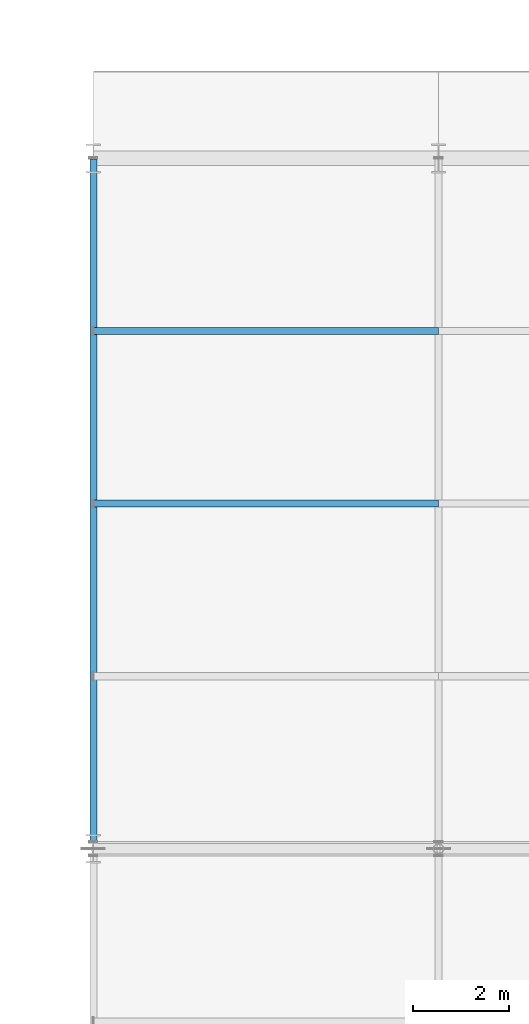
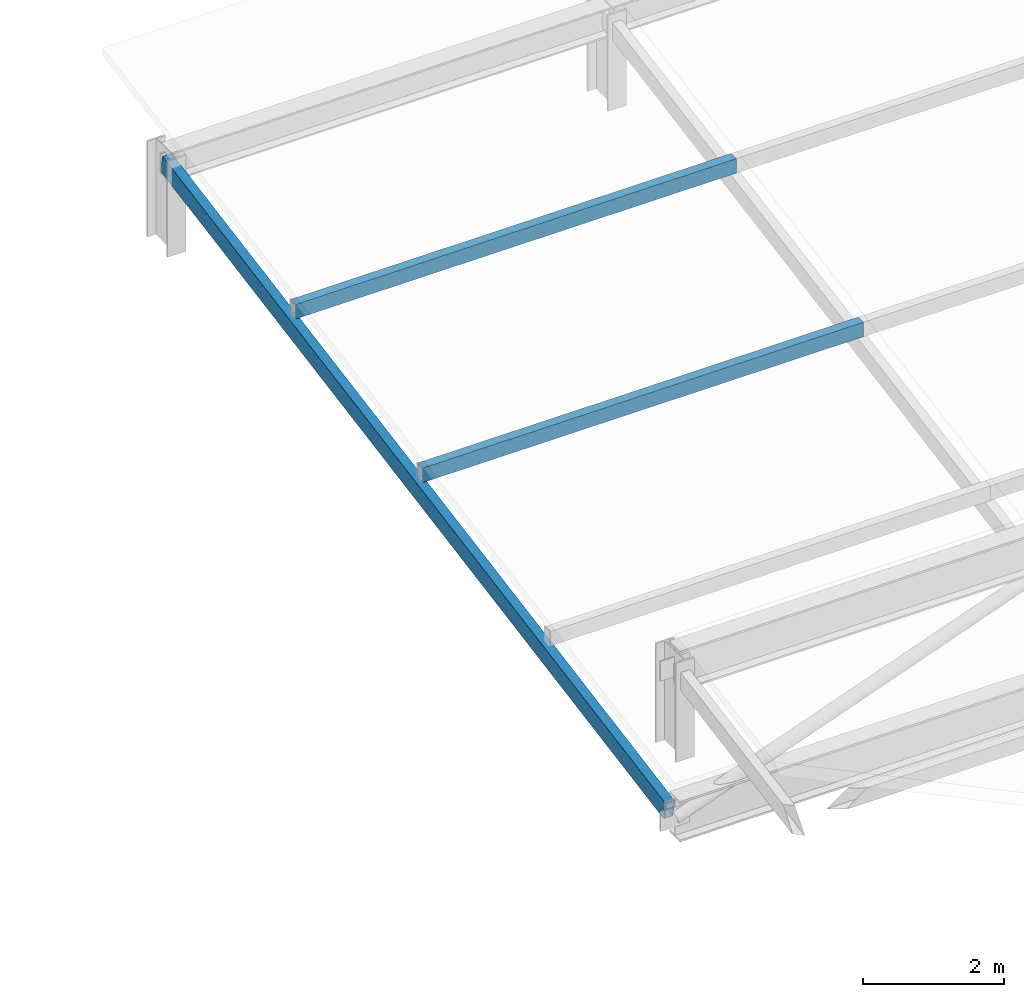
# One storey, part 27 of 63: 2 members, 1 beam.
"""IFC4 building model written with IfcOpenShell, lengths in metres."""

from ifc_helpers import new_model, si_unit, direction, frame, origin, origin_2d, place, context, subcontext, project, spatial, hollow_rectangle, extrude, material, material_profile, profile_set, type_object, element, save


model = new_model("IFC4")

# Units and contexts
model_context = context("Model", 3, precision=1e-05, world=origin(), true_north=direction((0.0, 1.0)))
body_context = subcontext(model_context, "Body", "Model", "MODEL_VIEW")
ifc_project = project(units=[si_unit("LENGTHUNIT", "METRE"), si_unit("AREAUNIT", "SQUARE_METRE"), si_unit("VOLUMEUNIT", "CUBIC_METRE"), si_unit("PLANEANGLEUNIT", "RADIAN"), si_unit("MASSUNIT", "GRAM", prefix="KILO")], contexts=[model_context])

# Site, building, storey
site_placement = place(None, origin())
site = spatial("IfcSite", under=ifc_project, at=site_placement, CompositionType="ELEMENT")
building_placement = place(site_placement, origin())
building = spatial("IfcBuilding", under=site, at=building_placement, Name="Solvadek Multi-Sports Hall", CompositionType="ELEMENT")
storey_placement = place(building_placement, frame((0.0, 0.0, 19.199951171875)))
storey = spatial("IfcBuildingStorey", under=building, at=storey_placement, Name="RF", CompositionType="ELEMENT", Elevation=19.199951171875)

# Members
ifc_material = material(Name="Steel E350 (350 MPa)", Category="steel")
ifc_material_profile_1 = material_profile(ifc_material, hollow_rectangle(XDim=0.14990234375, YDim=0.25, WallThickness=0.010009765625, at=origin_2d()), Name="RHS 250x150x10")
ifc_profile_set_1 = profile_set([ifc_material_profile_1], Name="Steel E350 (350 MPa)")
member_type = type_object("IfcMemberType", Name="STR-PUR-RHS250", PredefinedType="PURLIN", material=ifc_profile_set_1)
for number, where, z_axis, x_axis, name in (
    (1, (136.800048828125, 63.60009765625, 0.40869140625), (1.0, 0.0, 0.0), (0.0, 1.0, 0.0), "V2 Clerestory Purlin #113"),
    (2, (136.800048828125, 67.199951171875, 1.05322265625), (1.0, 0.0, 0.0), (0.0, 1.0, 0.0), "V2 Clerestory Purlin #114"),
):
    element("IfcMember", number, at=place(storey_placement, frame(where, z_axis=z_axis, x_axis=x_axis)), inside=storey, type_object=member_type, Name=name, PredefinedType="PURLIN", context=body_context, shape_type="SweptSolid", body=[
        extrude(hollow_rectangle(XDim=0.14990234375, YDim=0.25, WallThickness=0.010009765625, at=origin_2d()), origin(), (0.0, 0.0, 1.0), 7.199951171875),
    ])

# Beam
ifc_material_profile_2 = material_profile(ifc_material, hollow_rectangle(XDim=0.14990234375, YDim=0.300048828125, WallThickness=0.010009765625, at=origin_2d()), Name="RHS 300x150x10")
ifc_profile_set_2 = profile_set([ifc_material_profile_2], Name="Steel E350 (350 MPa)")
beam_type = type_object("IfcBeamType", Name="STR-TRS-RHS300", PredefinedType="USERDEFINED", material=ifc_profile_set_2)
beam_placement = place(storey_placement, frame((136.800048828125, 56.550048828125, -1.142578125), z_axis=(0.0, 0.984354110931, 0.176201544528), x_axis=(-1.0, 0.0, 0.0)))
element("IfcBeam", 3, at=beam_placement, inside=storey, type_object=beam_type, Name="V2 Clerestory Rafter Truss 1.2", ObjectType="ROOF TRUSS", PredefinedType="USERDEFINED", context=body_context, shape_type="SweptSolid", body=[
    extrude(hollow_rectangle(XDim=0.14990234375, YDim=0.300048828125, WallThickness=0.010009765625, at=origin_2d()), origin(), (0.0, 0.0, 1.0), 14.4765625),
])

save(model, "model.ifc")
